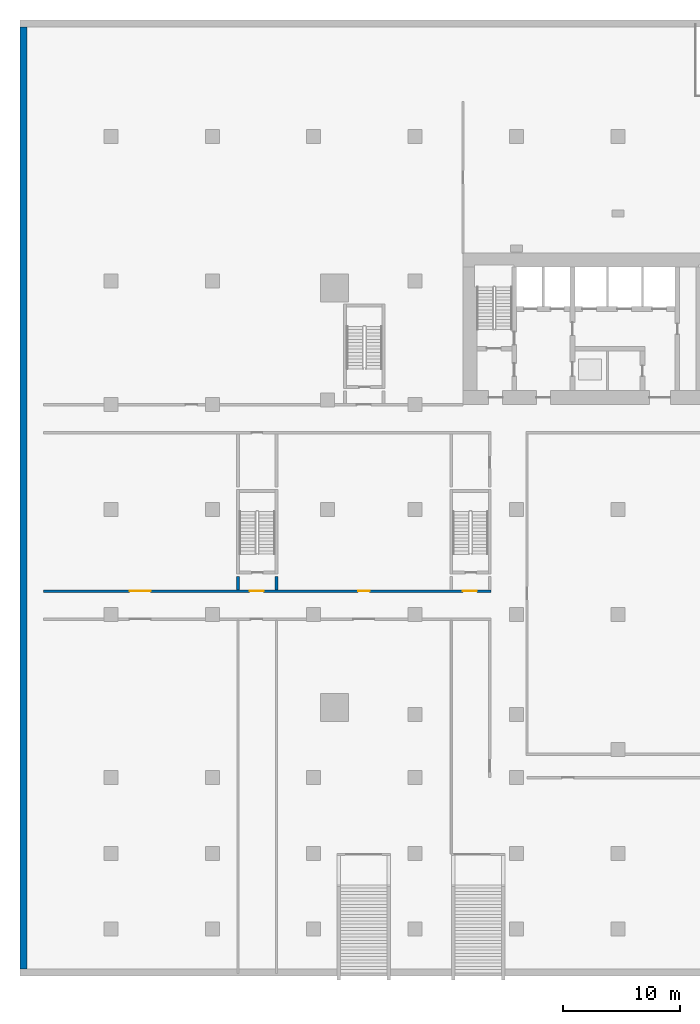
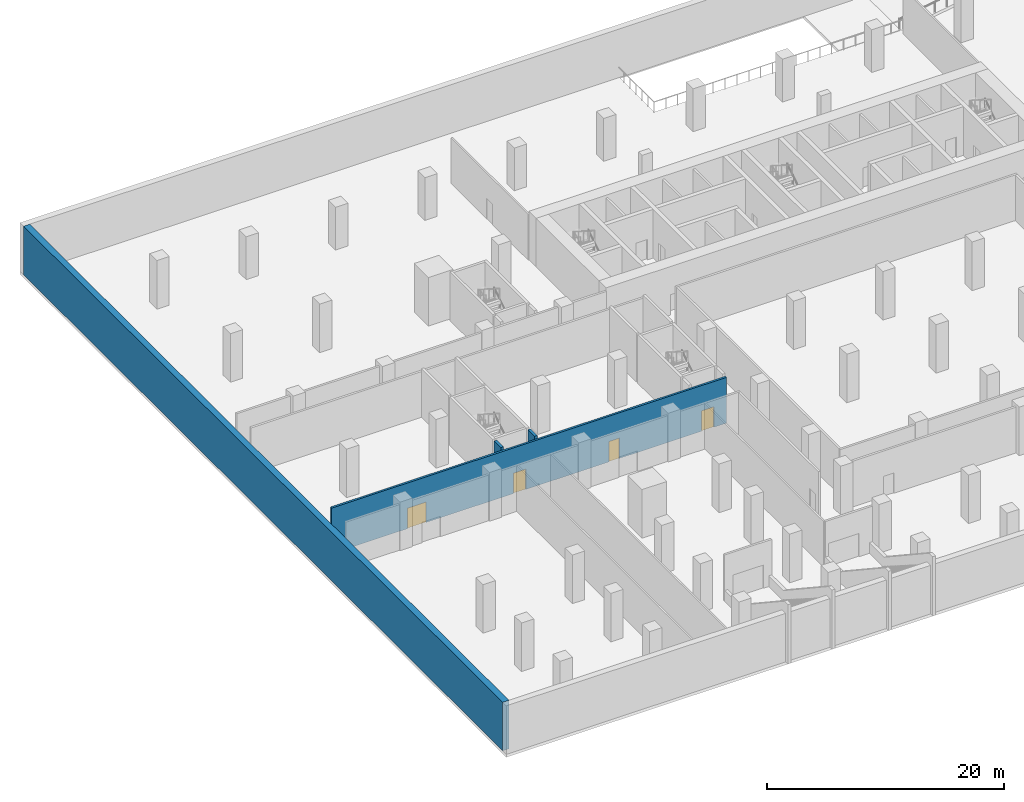
# One storey, part 5 of 16: 4 doors, 4 walls, 4 openings.
"""IFC4 building model written with IfcOpenShell, lengths in metres."""

import ifcopenshell
import ifcopenshell.guid

model = None  # the IFC model being written
_history = None  # IfcOwnerHistory: only IFC2X3 demands one
_inside = {}  # id of a spatial element -> (the spatial element, [elements in it])
_under = {}  # id of a project, library or spatial element -> (it, [spatial elements below it])
_declared = {}  # id of a project -> (the project, [libraries it declares])
_typed = {}  # id of a type object -> (the type object, [elements of that type])
_made_of = {}  # id of a material, layer set ... -> (it, [elements and type objects made of it])


def new_model(schema):
    """Start an empty IFC model of exactly this schema.

    Asked for "IFC4X3", IfcOpenShell would pick the latest addendum, in which some entities
    have other attributes; the version numbers below select the first issue.
    IFC2X3 requires an IfcOwnerHistory on every rooted entity: one is made here for all.
    """
    global model, _history
    if schema == "IFC4X3":
        model = ifcopenshell.file(schema_version=(4, 3, 0, 0))
    else:
        model = ifcopenshell.file(schema=schema)
    _inside.clear()
    _under.clear()
    _declared.clear()
    _typed.clear()
    _made_of.clear()
    _history = None
    if model.schema == "IFC2X3":
        org = make("IfcOrganization", Name="unknown")
        user = make(
            "IfcPersonAndOrganization",
            ThePerson=make("IfcPerson", FamilyName="unknown"),
            TheOrganization=org,
        )
        app = make(
            "IfcApplication",
            ApplicationDeveloper=org,
            Version="unknown",
            ApplicationFullName="unknown",
            ApplicationIdentifier="unknown",
        )
        _history = make(
            "IfcOwnerHistory",
            OwningUser=user,
            OwningApplication=app,
            ChangeAction="ADDED",
            CreationDate=0,
        )
    return model


def make(cls, **values):
    """One entity of the class cls with the attributes given. An attribute that is None is left unset."""
    return model.create_entity(
        cls, **{name: value for name, value in values.items() if value is not None}
    )


def rooted(cls, **values):
    """An entity with a GlobalId (a new one), such as an element, a storey or a relation."""
    return make(cls, GlobalId=ifcopenshell.guid.new(), OwnerHistory=_history, **values)


def si_unit(unit_type, name, prefix=None):
    """IfcSIUnit, for example si_unit("LENGTHUNIT", "METRE", prefix="MILLI")."""
    return make("IfcSIUnit", UnitType=unit_type, Prefix=prefix, Name=name)


def assignment(units):
    """IfcUnitAssignment: the units of a project."""
    return None if units is None else make("IfcUnitAssignment", Units=units)


def point(xyz):
    """IfcCartesianPoint."""
    return None if xyz is None else make("IfcCartesianPoint", Coordinates=xyz)


def direction(xyz):
    """IfcDirection."""
    return None if xyz is None else make("IfcDirection", DirectionRatios=xyz)


def frame(location, z_axis=None, x_axis=None):
    """IfcAxis2Placement3D, a coordinate frame: its origin and axes. An axis left out is left unset."""
    return make(
        "IfcAxis2Placement3D",
        Location=point(location),
        Axis=direction(z_axis),
        RefDirection=direction(x_axis),
    )


def frame_2d(location, x_axis=None):
    """IfcAxis2Placement2D, a coordinate frame in the plane: its origin and x axis."""
    return make(
        "IfcAxis2Placement2D", Location=point(location), RefDirection=direction(x_axis)
    )


def origin():
    """The frame at (0, 0, 0) with its axes left unset."""
    return frame((0.0, 0.0, 0.0))


def place(relative_to, where):
    """IfcLocalPlacement: puts the frame where relative to a parent placement (None: the world)."""
    return make(
        "IfcLocalPlacement", PlacementRelTo=relative_to, RelativePlacement=where
    )


def context(
    kind, dimensions, precision=None, world=None, true_north=None, identifier=None
):
    """IfcGeometricRepresentationContext, for example the 3D "Model" context."""
    return make(
        "IfcGeometricRepresentationContext",
        ContextIdentifier=identifier,
        ContextType=kind,
        CoordinateSpaceDimension=dimensions,
        Precision=precision,
        WorldCoordinateSystem=world,
        TrueNorth=true_north,
    )


def subcontext(parent, identifier, kind, view, scale=None):
    """IfcGeometricRepresentationSubContext, for example "Body" below "Model"."""
    return make(
        "IfcGeometricRepresentationSubContext",
        ContextIdentifier=identifier,
        ContextType=kind,
        ParentContext=parent,
        TargetScale=scale,
        TargetView=view,
    )


def project(units=None, contexts=None):
    """IfcProject with its units and contexts."""
    return rooted(
        "IfcProject",
        Name="project",
        RepresentationContexts=contexts,
        UnitsInContext=assignment(units),
    )


def spatial(cls, under=None, at=None, **own):
    """A site, building, storey or space (cls), placed at a placement, below another one or the project."""
    s = rooted(cls, ObjectPlacement=at, **own)
    if under is not None:
        _under.setdefault(under.id(), (under, []))[1].append(s)
    return s


def profile(cls, at=None, kind="AREA", **sizes):
    """A parametric profile (cls). Its sizes go by their IFC names, for example OverallWidth=200.0."""
    return make(cls, ProfileType=kind, Position=at, **sizes)


def rectangle(**sizes):
    """IfcRectangleProfileDef."""
    return profile("IfcRectangleProfileDef", **sizes)


def extrude(swept, where, along, depth):
    """IfcExtrudedAreaSolid: the profile swept, set in the frame where, extruded along a direction by depth."""
    return make(
        "IfcExtrudedAreaSolid",
        SweptArea=swept,
        Position=where,
        ExtrudedDirection=direction(along),
        Depth=depth,
    )


def shape(context_of_items, identifier, shape_type, items):
    """IfcShapeRepresentation: the items that make up one representation, for example the "Body"."""
    return make(
        "IfcShapeRepresentation",
        ContextOfItems=context_of_items,
        RepresentationIdentifier=identifier,
        RepresentationType=shape_type,
        Items=items,
    )


def material(Name=None, Category=None):
    """IfcMaterial."""
    return make("IfcMaterial", Name=Name, Category=Category)


def layer(
    of_material, thickness, ventilated=None, Name=None, Category=None, Priority=None
):
    """IfcMaterialLayer: one layer of a wall or slab, of a material (None: an air gap)."""
    return make(
        "IfcMaterialLayer",
        Material=of_material,
        LayerThickness=thickness,
        IsVentilated=ventilated,
        Name=Name,
        Category=Category,
        Priority=Priority,
    )


def layer_set(layers, Name=None):
    """IfcMaterialLayerSet."""
    return make("IfcMaterialLayerSet", MaterialLayers=layers, LayerSetName=Name)


def made_of(thing, what):
    """Note that an element or type object is made of a material, layer set ...; save() writes the relation."""
    if what is not None:
        _made_of.setdefault(what.id(), (what, []))[1].append(thing)
    return thing


def type_object(cls, material=None, **own):
    """A type object (cls), such as IfcWallType, which elements share."""
    return made_of(rooted(cls, **own), material)


def element(
    cls,
    number,
    at=None,
    inside=None,
    cuts=None,
    type_object=None,
    material=None,
    context=None,
    identifier="Body",
    shape_type=None,
    held_by="IfcProductDefinitionShape",
    body=None,
    shapes=None,
    **own,
):
    """One element of the class cls, such as IfcWall. Its Tag is "e" and its number.

    at: its placement. inside: the storey or other place that contains it. cuts: it is an
    opening in that element (IfcRelVoidsElement). A single representation is given by context,
    identifier, shape_type and body (its items); several are given by shapes. held_by: the class
    of the entity that holds the representations. save() writes the other relations.
    """
    e = rooted(cls, Tag="e%d" % number, ObjectPlacement=at, **own)
    if body is not None:
        shapes = [shape(context, identifier, shape_type, body)]
    if shapes is not None:
        e.Representation = make(held_by, Representations=shapes)
    if inside is not None:
        _inside.setdefault(inside.id(), (inside, []))[1].append(e)
    if cuts is not None:
        rooted(
            "IfcRelVoidsElement", RelatingBuildingElement=cuts, RelatedOpeningElement=e
        )
    if type_object is not None:
        _typed.setdefault(type_object.id(), (type_object, []))[1].append(e)
    return made_of(e, material)


def fill(opening, filler):
    """IfcRelFillsElement: the door or window that sits in an opening."""
    return rooted(
        "IfcRelFillsElement",
        RelatingOpeningElement=opening,
        RelatedBuildingElement=filler,
    )


def aggregate(whole, parts):
    """IfcRelAggregates: a whole, such as a stair, and the parts it consists of."""
    return rooted("IfcRelAggregates", RelatingObject=whole, RelatedObjects=parts)


def save(model, path):
    """Write the relations noted so far, then the file.

    IfcRelAggregates (storeys below a building ...), IfcRelContainedInSpatialStructure (elements
    in a storey), IfcRelDefinesByType, IfcRelAssociatesMaterial and IfcRelDeclares: one each for
    every whole, place, type object, material and project.
    """
    for whole, parts in _under.values():
        aggregate(whole, parts)
    for where, things in _inside.values():
        rooted(
            "IfcRelContainedInSpatialStructure",
            RelatedElements=things,
            RelatingStructure=where,
        )
    for kind, things in _typed.values():
        rooted("IfcRelDefinesByType", RelatedObjects=things, RelatingType=kind)
    for what, things in _made_of.values():
        rooted("IfcRelAssociatesMaterial", RelatedObjects=things, RelatingMaterial=what)
    for by, libraries in _declared.values():
        rooted("IfcRelDeclares", RelatingContext=by, RelatedDefinitions=libraries)
    model.write(path)


model = new_model("IFC4")

# Units and contexts
model_context = context("Model", 3, precision=1e-05, world=origin(), true_north=direction((0.0, 1.0)))
body_context = subcontext(model_context, "Body", "Model", "MODEL_VIEW")
ifc_project = project(units=[si_unit("LENGTHUNIT", "METRE"), si_unit("AREAUNIT", "SQUARE_METRE"), si_unit("VOLUMEUNIT", "CUBIC_METRE"), si_unit("PLANEANGLEUNIT", "RADIAN"), si_unit("MASSUNIT", "GRAM", prefix="KILO")], contexts=[model_context])

# Site, building, storey
site_placement = place(None, origin())
site = spatial("IfcSite", under=ifc_project, at=site_placement, CompositionType="ELEMENT")
building_placement = place(site_placement, origin())
building = spatial("IfcBuilding", under=site, at=building_placement, Name="Bicima Exchange Tower", CompositionType="ELEMENT")
storey_placement = place(building_placement, frame((0.0, 0.0, -5.0)))
storey = spatial("IfcBuildingStorey", under=building, at=storey_placement, Name="B1", CompositionType="ELEMENT", Elevation=-5.0)

# Wall
ifc_material_1 = material(Name="Concrete C40/50", Category="concrete")
ifc_layer_1 = layer(ifc_material_1, 0.60009765625)
ifc_layer_set_1 = layer_set([ifc_layer_1], Name="Concrete C40/50")
wall_type_1 = type_object("IfcWallType", Name="Basement retaining wall 600", PredefinedType="SOLIDWALL", material=ifc_layer_set_1)
wall_1_placement = place(storey_placement, frame((-59.699951171875, -61.39990234375, 0.0), z_axis=(0.0, 0.0, 1.0), x_axis=(0.0, 1.0, 0.0)))
element("IfcWall", 1, at=wall_1_placement, inside=storey, type_object=wall_type_1, Name="Retaining wall west", PredefinedType="SOLIDWALL", context=body_context, shape_type="SweptSolid", body=[
    extrude(rectangle(XDim=80.7998046875, YDim=0.60009765625, at=frame_2d((40.39990234375, 0.0))), origin(), (0.0, 0.0, 1.0), 5.0),
])

# Wall, openings, doors
ifc_material_2 = material(Name="Gypsum board partition")
ifc_layer_2 = layer(ifc_material_2, 0.199951171875)
ifc_layer_set_2 = layer_set([ifc_layer_2], Name="Gypsum board partition")
wall_type_2 = type_object("IfcWallType", Name="Fire-rated gypsum partition 200 EI60", PredefinedType="PARTITIONING", material=ifc_layer_set_2)
wall_2_placement = place(storey_placement, frame((-58.0, -29.0, 0.0), z_axis=(0.0, 0.0, 1.0), x_axis=(1.0, 0.0, 0.0)))
wall_2 = element("IfcWall", 2, at=wall_2_placement, inside=storey, type_object=wall_type_2, Name="partition wall 6", PredefinedType="PARTITIONING", context=body_context, shape_type="SweptSolid", body=[
    extrude(rectangle(XDim=38.425048828125, YDim=0.199951171875, at=frame_2d((19.21240234375, 0.0))), origin(), (0.0, 0.0, 1.0), 4.699951171875),
])
opening_1_placement = place(wall_2_placement, frame((17.699951171875, 0.0, 0.0)))
opening_1 = element("IfcOpeningElement", 3, at=opening_1_placement, cuts=wall_2, Name="Opening B1-001", PredefinedType="OPENING", context=body_context, shape_type="SweptSolid", body=[
    extrude(rectangle(XDim=1.199951171875, YDim=2.10009765625, at=frame_2d((0.60009765625, 1.050048828125))), frame((0.0, 0.11181640625, 0.0), z_axis=(0.0, -1.0, 0.0), x_axis=(1.0, 0.0, 0.0)), (0.0, 0.0, 1.0), 0.223876953125),
])
opening_2_placement = place(wall_2_placement, frame((36.0, 0.0, 0.0)))
opening_2 = element("IfcOpeningElement", 4, at=opening_2_placement, cuts=wall_2, Name="Opening B1-003", PredefinedType="OPENING", context=body_context, shape_type="SweptSolid", body=[
    extrude(rectangle(XDim=1.199951171875, YDim=2.10009765625, at=frame_2d((0.60009765625, 1.050048828125))), frame((0.0, 0.11181640625, 0.0), z_axis=(0.0, -1.0, 0.0), x_axis=(1.0, 0.0, 0.0)), (0.0, 0.0, 1.0), 0.223876953125),
])
opening_3_placement = place(wall_2_placement, frame((7.39990234375, 0.0, 0.0)))
opening_3 = element("IfcOpeningElement", 5, at=opening_3_placement, cuts=wall_2, Name="Opening B1-018", PredefinedType="OPENING", context=body_context, shape_type="SweptSolid", body=[
    extrude(rectangle(XDim=1.800048828125, YDim=2.10009765625, at=frame_2d((0.89990234375, 1.050048828125))), frame((0.0, 0.11181640625, 0.0), z_axis=(0.0, -1.0, 0.0), x_axis=(1.0, 0.0, 0.0)), (0.0, 0.0, 1.0), 0.223876953125),
])
opening_4_placement = place(wall_2_placement, frame((27.0, 0.0, 0.0)))
opening_4 = element("IfcOpeningElement", 6, at=opening_4_placement, cuts=wall_2, Name="Opening B1-022", PredefinedType="OPENING", context=body_context, shape_type="SweptSolid", body=[
    extrude(rectangle(XDim=1.0, YDim=2.10009765625, at=frame_2d((0.5, 1.050048828125))), frame((0.0, 0.11181640625, 0.0), z_axis=(0.0, -1.0, 0.0), x_axis=(1.0, 0.0, 0.0)), (0.0, 0.0, 1.0), 0.223876953125),
])
ifc_material_3 = material(Name="Steel fire door leaf", Category="steel")
door_type_1 = type_object("IfcDoorType", Name="Door 1000 swing FD30S", OperationType="SINGLE_SWING_LEFT", PredefinedType="DOOR", material=ifc_material_3)
door_1_placement = place(opening_4_placement, origin())
door_1 = element("IfcDoor", 7, at=door_1_placement, inside=storey, type_object=door_type_1, Name="Door", OperationType="SINGLE_SWING_LEFT", OverallHeight=2.10009765625, OverallWidth=1.0, PredefinedType="DOOR", context=body_context, shape_type="SweptSolid", body=[
    extrude(rectangle(XDim=1.0, YDim=2.10009765625, at=frame_2d((0.5, 1.050048828125))), frame((0.0, 0.02490234375, 0.0), z_axis=(0.0, -1.0, 0.0), x_axis=(1.0, 0.0, 0.0)), (0.0, 0.0, 1.0), 0.050048828125),
])
fill(opening_4, door_1)
door_type_2 = type_object("IfcDoorType", Name="Door 1200 swing FD30S", OperationType="SINGLE_SWING_LEFT", PredefinedType="DOOR", material=ifc_material_3)
door_2_placement = place(opening_1_placement, origin())
door_2 = element("IfcDoor", 8, at=door_2_placement, inside=storey, type_object=door_type_2, Name="Door", OperationType="SINGLE_SWING_LEFT", OverallHeight=2.10009765625, OverallWidth=1.199951171875, PredefinedType="DOOR", context=body_context, shape_type="SweptSolid", body=[
    extrude(rectangle(XDim=1.199951171875, YDim=2.10009765625, at=frame_2d((0.60009765625, 1.050048828125))), frame((0.0, 0.02490234375, 0.0), z_axis=(0.0, -1.0, 0.0), x_axis=(1.0, 0.0, 0.0)), (0.0, 0.0, 1.0), 0.050048828125),
])
fill(opening_1, door_2)
door_3_placement = place(opening_2_placement, origin())
door_3 = element("IfcDoor", 9, at=door_3_placement, inside=storey, type_object=door_type_2, Name="Door", OperationType="SINGLE_SWING_RIGHT", OverallHeight=2.10009765625, OverallWidth=1.199951171875, PredefinedType="DOOR", context=body_context, shape_type="SweptSolid", body=[
    extrude(rectangle(XDim=1.199951171875, YDim=2.10009765625, at=frame_2d((0.60009765625, 1.050048828125))), frame((0.0, 0.02490234375, 0.0), z_axis=(0.0, -1.0, 0.0), x_axis=(1.0, 0.0, 0.0)), (0.0, 0.0, 1.0), 0.050048828125),
])
fill(opening_2, door_3)
door_type_3 = type_object("IfcDoorType", Name="Door 1800 double swing FD30S", OperationType="DOUBLE_DOOR_SINGLE_SWING", PredefinedType="DOOR", material=ifc_material_3)
door_4_placement = place(opening_3_placement, origin())
door_4 = element("IfcDoor", 10, at=door_4_placement, inside=storey, type_object=door_type_3, Name="Door", OperationType="SINGLE_SWING_LEFT", OverallHeight=2.10009765625, OverallWidth=1.800048828125, PredefinedType="DOOR", context=body_context, shape_type="SweptSolid", body=[
    extrude(rectangle(XDim=1.800048828125, YDim=2.10009765625, at=frame_2d((0.89990234375, 1.050048828125))), frame((0.0, 0.02490234375, 0.0), z_axis=(0.0, -1.0, 0.0), x_axis=(1.0, 0.0, 0.0)), (0.0, 0.0, 1.0), 0.050048828125),
])
fill(opening_3, door_4)

# Walls
ifc_material_4 = material(Name="Concrete C50/60", Category="concrete")
ifc_layer_3 = layer(ifc_material_4, 0.25)
ifc_layer_set_3 = layer_set([ifc_layer_3], Name="Concrete C50/60")
wall_type_3 = type_object("IfcWallType", Name="RC core wall 250 C50/60", PredefinedType="SHEAR", material=ifc_layer_set_3)
for number, where, z_axis, x_axis, name in (
    (11, (-41.300048828125, -28.89990234375, 0.0), (0.0, 0.0, 1.0), (0.0, 1.0, 0.0), "stair wall 31"),
    (12, (-38.0, -28.89990234375, 0.0), (0.0, 0.0, 1.0), (0.0, 1.0, 0.0), "stair wall 33"),
):
    element("IfcWall", number, at=place(storey_placement, frame(where, z_axis=z_axis, x_axis=x_axis)), inside=storey, type_object=wall_type_3, Name=name, PredefinedType="SHEAR", context=body_context, shape_type="SweptSolid", body=[
        extrude(rectangle(XDim=1.14990234375, YDim=0.25, at=frame_2d((0.574951171875, 0.0))), origin(), (0.0, 0.0, 1.0), 5.0),
    ])

save(model, "model.ifc")
